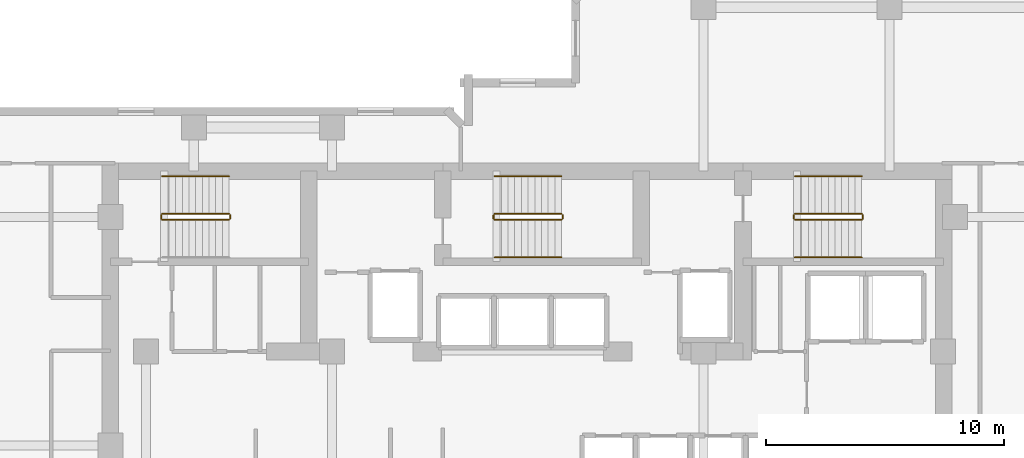
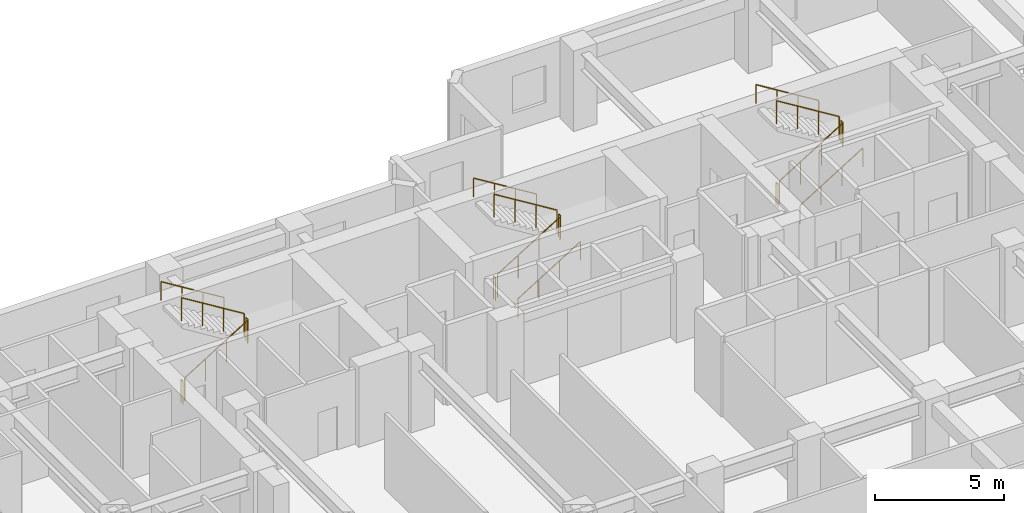
# One storey, part 11 of 11: 17 railings.
"""IFC4 building model written with IfcOpenShell, lengths in metres."""

from ifc_helpers import new_model, si_unit, direction, frame, origin, origin_2d, place, context, subcontext, project, spatial, circle, extrude, material, type_object, element, save


model = new_model("IFC4")

# Units and contexts
model_context = context("Model", 3, precision=1e-05, world=origin(), true_north=direction((0.0, 1.0)))
body_context = subcontext(model_context, "Body", "Model", "MODEL_VIEW")
ifc_project = project(units=[si_unit("LENGTHUNIT", "METRE"), si_unit("AREAUNIT", "SQUARE_METRE"), si_unit("VOLUMEUNIT", "CUBIC_METRE"), si_unit("PLANEANGLEUNIT", "RADIAN"), si_unit("MASSUNIT", "GRAM", prefix="KILO")], contexts=[model_context])

# Site, building, storey
site_placement = place(None, origin())
site = spatial("IfcSite", under=ifc_project, at=site_placement, CompositionType="ELEMENT")
building_placement = place(site_placement, origin())
building = spatial("IfcBuilding", under=site, at=building_placement, Name="Kestravale Grand Hotel", CompositionType="ELEMENT")
storey_placement = place(building_placement, frame((0.0, 0.0, 168.800048828125)))
storey = spatial("IfcBuildingStorey", under=building, at=storey_placement, Name="L42", CompositionType="ELEMENT", Elevation=168.800048828125)

# Railings
ifc_material_1 = material(Name="Painted tubular steel stair well guard", Category="steel")
railing_type_1 = type_object("IfcRailingType", Name="RL-ST-GRD1100", PredefinedType="GUARDRAIL", material=ifc_material_1)
railing_1_placement = place(storey_placement, frame((24.080078125, 38.280029296875, 0.172607421875)))
element("IfcRailing", 1, at=railing_1_placement, inside=storey, type_object=railing_type_1, Name="L42 ST-1 stair guard 1", PredefinedType="GUARDRAIL", context=body_context, shape_type="SweptSolid", body=[
    extrude(circle(Radius=0.02392578125, at=origin_2d()), frame((0.0, 0.0, 1.076171875), z_axis=(0.851069175582, 0.0, 0.525053576669), x_axis=(0.0, 1.0, 0.0)), (0.0, 0.0, 1.0), 3.289794921875),
    extrude(circle(Radius=0.02099609375, at=origin_2d()), origin(), (0.0, 0.0, 1.0), 1.052001953125),
    extrude(circle(Radius=0.02099609375, at=origin_2d()), frame((0.933349609375, 0.0, 0.57568359375)), (0.0, 0.0, 1.0), 1.052001953125),
    extrude(circle(Radius=0.02099609375, at=origin_2d()), frame((1.866455078125, 0.0, 1.151611328125)), (0.0, 0.0, 1.0), 1.052001953125),
    extrude(circle(Radius=0.02099609375, at=origin_2d()), frame((2.7998046875, 0.0, 1.727294921875)), (0.0, 0.0, 1.0), 1.052001953125),
])
railing_2_placement = place(storey_placement, frame((26.929931640625, 38.330078125, 1.89990234375)))
element("IfcRailing", 2, at=railing_2_placement, inside=storey, type_object=railing_type_1, Name="L42 ST-1 stair guard 2", PredefinedType="GUARDRAIL", context=body_context, shape_type="SweptSolid", body=[
    extrude(circle(Radius=0.02392578125, at=origin_2d()), frame((0.0, 0.0, 1.076171875), z_axis=(0.0, 1.0, 0.0), x_axis=(-1.0, 0.0, 0.0)), (0.0, 0.0, 1.0), 0.14990234375),
    extrude(circle(Radius=0.02099609375, at=origin_2d()), origin(), (0.0, 0.0, 1.0), 1.052001953125),
    extrude(circle(Radius=0.02099609375, at=origin_2d()), frame((0.0, 0.14990234375, 0.0)), (0.0, 0.0, 1.0), 1.052001953125),
])
railing_3_placement = place(storey_placement, frame((26.8798828125, 38.530029296875, 2.07275390625)))
element("IfcRailing", 3, at=railing_3_placement, inside=storey, type_object=railing_type_1, Name="L42 ST-1 stair guard 3", PredefinedType="GUARDRAIL", context=body_context, shape_type="SweptSolid", body=[
    extrude(circle(Radius=0.02392578125, at=origin_2d()), frame((0.0, 0.0, 1.076171875), z_axis=(-0.851069175582, 0.0, 0.525053576669), x_axis=(0.0, -1.0, 0.0)), (0.0, 0.0, 1.0), 3.289794921875),
    extrude(circle(Radius=0.02099609375, at=origin_2d()), origin(), (0.0, 0.0, 1.0), 1.052001953125),
    extrude(circle(Radius=0.02099609375, at=origin_2d()), frame((-0.933349609375, 0.0, 0.57568359375)), (0.0, 0.0, 1.0), 1.052001953125),
    extrude(circle(Radius=0.02099609375, at=origin_2d()), frame((-1.866455078125, 0.0, 1.151611328125)), (0.0, 0.0, 1.0), 1.052001953125),
    extrude(circle(Radius=0.02099609375, at=origin_2d()), frame((-2.7998046875, 0.0, 1.727294921875)), (0.0, 0.0, 1.0), 1.052001953125),
])
railing_4_placement = place(storey_placement, frame((24.030029296875, 38.330078125, 0.0)))
element("IfcRailing", 4, at=railing_4_placement, inside=storey, type_object=railing_type_1, Name="L42 ST-1 stair guard 4", PredefinedType="GUARDRAIL", context=body_context, shape_type="SweptSolid", body=[
    extrude(circle(Radius=0.02392578125, at=origin_2d()), frame((0.0, 0.0, 1.076171875), z_axis=(0.0, 1.0, 0.0), x_axis=(-1.0, 0.0, 0.0)), (0.0, 0.0, 1.0), 0.14990234375),
    extrude(circle(Radius=0.02099609375, at=origin_2d()), origin(), (0.0, 0.0, 1.0), 1.052001953125),
    extrude(circle(Radius=0.02099609375, at=origin_2d()), frame((0.0, 0.14990234375, 0.0)), (0.0, 0.0, 1.0), 1.052001953125),
])
railing_5_placement = place(storey_placement, frame((38.030029296875, 38.280029296875, 0.172607421875)))
element("IfcRailing", 5, at=railing_5_placement, inside=storey, type_object=railing_type_1, Name="L42 ST-2 stair guard 1", PredefinedType="GUARDRAIL", context=body_context, shape_type="SweptSolid", body=[
    extrude(circle(Radius=0.02392578125, at=origin_2d()), frame((0.0, 0.0, 1.076171875), z_axis=(0.851089632645, 0.0, 0.525020415988), x_axis=(0.0, 1.0, 0.0)), (0.0, 0.0, 1.0), 3.2900390625),
    extrude(circle(Radius=0.02099609375, at=origin_2d()), origin(), (0.0, 0.0, 1.0), 1.052001953125),
    extrude(circle(Radius=0.02099609375, at=origin_2d()), frame((0.933349609375, 0.0, 0.57568359375)), (0.0, 0.0, 1.0), 1.052001953125),
    extrude(circle(Radius=0.02099609375, at=origin_2d()), frame((1.86669921875, 0.0, 1.151611328125)), (0.0, 0.0, 1.0), 1.052001953125),
    extrude(circle(Radius=0.02099609375, at=origin_2d()), frame((2.800048828125, 0.0, 1.727294921875)), (0.0, 0.0, 1.0), 1.052001953125),
])
railing_6_placement = place(storey_placement, frame((40.8798828125, 38.330078125, 1.89990234375)))
element("IfcRailing", 6, at=railing_6_placement, inside=storey, type_object=railing_type_1, Name="L42 ST-2 stair guard 2", PredefinedType="GUARDRAIL", context=body_context, shape_type="SweptSolid", body=[
    extrude(circle(Radius=0.02392578125, at=origin_2d()), frame((0.0, 0.0, 1.076171875), z_axis=(0.0, 1.0, 0.0), x_axis=(-1.0, 0.0, 0.0)), (0.0, 0.0, 1.0), 0.14990234375),
    extrude(circle(Radius=0.02099609375, at=origin_2d()), origin(), (0.0, 0.0, 1.0), 1.052001953125),
    extrude(circle(Radius=0.02099609375, at=origin_2d()), frame((0.0, 0.14990234375, 0.0)), (0.0, 0.0, 1.0), 1.052001953125),
])
railing_7_placement = place(storey_placement, frame((40.830078125, 38.530029296875, 2.07275390625)))
element("IfcRailing", 7, at=railing_7_placement, inside=storey, type_object=railing_type_1, Name="L42 ST-2 stair guard 3", PredefinedType="GUARDRAIL", context=body_context, shape_type="SweptSolid", body=[
    extrude(circle(Radius=0.02392578125, at=origin_2d()), frame((0.0, 0.0, 1.076171875), z_axis=(-0.851089632645, 0.0, 0.525020415988), x_axis=(0.0, -1.0, 0.0)), (0.0, 0.0, 1.0), 3.2900390625),
    extrude(circle(Radius=0.02099609375, at=origin_2d()), origin(), (0.0, 0.0, 1.0), 1.052001953125),
    extrude(circle(Radius=0.02099609375, at=origin_2d()), frame((-0.933349609375, 0.0, 0.57568359375)), (0.0, 0.0, 1.0), 1.052001953125),
    extrude(circle(Radius=0.02099609375, at=origin_2d()), frame((-1.86669921875, 0.0, 1.151611328125)), (0.0, 0.0, 1.0), 1.052001953125),
    extrude(circle(Radius=0.02099609375, at=origin_2d()), frame((-2.800048828125, 0.0, 1.727294921875)), (0.0, 0.0, 1.0), 1.052001953125),
])
railing_8_placement = place(storey_placement, frame((37.97998046875, 38.330078125, 0.0)))
element("IfcRailing", 8, at=railing_8_placement, inside=storey, type_object=railing_type_1, Name="L42 ST-2 stair guard 4", PredefinedType="GUARDRAIL", context=body_context, shape_type="SweptSolid", body=[
    extrude(circle(Radius=0.02392578125, at=origin_2d()), frame((0.0, 0.0, 1.076171875), z_axis=(0.0, 1.0, 0.0), x_axis=(-1.0, 0.0, 0.0)), (0.0, 0.0, 1.0), 0.14990234375),
    extrude(circle(Radius=0.02099609375, at=origin_2d()), origin(), (0.0, 0.0, 1.0), 1.052001953125),
    extrude(circle(Radius=0.02099609375, at=origin_2d()), frame((0.0, 0.14990234375, 0.0)), (0.0, 0.0, 1.0), 1.052001953125),
])
railing_9_placement = place(storey_placement, frame((50.6298828125, 38.280029296875, 0.172607421875)))
element("IfcRailing", 9, at=railing_9_placement, inside=storey, type_object=railing_type_1, Name="L42 ST-3 stair guard 1", PredefinedType="GUARDRAIL", context=body_context, shape_type="SweptSolid", body=[
    extrude(circle(Radius=0.02392578125, at=origin_2d()), frame((0.0, 0.0, 1.076171875), z_axis=(0.851089632645, 0.0, 0.525020415988), x_axis=(0.0, 1.0, 0.0)), (0.0, 0.0, 1.0), 3.2900390625),
    extrude(circle(Radius=0.02099609375, at=origin_2d()), origin(), (0.0, 0.0, 1.0), 1.052001953125),
    extrude(circle(Radius=0.02099609375, at=origin_2d()), frame((0.933349609375, 0.0, 0.57568359375)), (0.0, 0.0, 1.0), 1.052001953125),
    extrude(circle(Radius=0.02099609375, at=origin_2d()), frame((1.86669921875, 0.0, 1.151611328125)), (0.0, 0.0, 1.0), 1.052001953125),
    extrude(circle(Radius=0.02099609375, at=origin_2d()), frame((2.800048828125, 0.0, 1.727294921875)), (0.0, 0.0, 1.0), 1.052001953125),
])
railing_10_placement = place(storey_placement, frame((53.47998046875, 38.330078125, 1.89990234375)))
element("IfcRailing", 10, at=railing_10_placement, inside=storey, type_object=railing_type_1, Name="L42 ST-3 stair guard 2", PredefinedType="GUARDRAIL", context=body_context, shape_type="SweptSolid", body=[
    extrude(circle(Radius=0.02392578125, at=origin_2d()), frame((0.0, 0.0, 1.076171875), z_axis=(0.0, 1.0, 0.0), x_axis=(-1.0, 0.0, 0.0)), (0.0, 0.0, 1.0), 0.14990234375),
    extrude(circle(Radius=0.02099609375, at=origin_2d()), origin(), (0.0, 0.0, 1.0), 1.052001953125),
    extrude(circle(Radius=0.02099609375, at=origin_2d()), frame((0.0, 0.14990234375, 0.0)), (0.0, 0.0, 1.0), 1.052001953125),
])
railing_11_placement = place(storey_placement, frame((53.429931640625, 38.530029296875, 2.07275390625)))
element("IfcRailing", 11, at=railing_11_placement, inside=storey, type_object=railing_type_1, Name="L42 ST-3 stair guard 3", PredefinedType="GUARDRAIL", context=body_context, shape_type="SweptSolid", body=[
    extrude(circle(Radius=0.02392578125, at=origin_2d()), frame((0.0, 0.0, 1.076171875), z_axis=(-0.851089632645, 0.0, 0.525020415988), x_axis=(0.0, -1.0, 0.0)), (0.0, 0.0, 1.0), 3.2900390625),
    extrude(circle(Radius=0.02099609375, at=origin_2d()), origin(), (0.0, 0.0, 1.0), 1.052001953125),
    extrude(circle(Radius=0.02099609375, at=origin_2d()), frame((-0.933349609375, 0.0, 0.57568359375)), (0.0, 0.0, 1.0), 1.052001953125),
    extrude(circle(Radius=0.02099609375, at=origin_2d()), frame((-1.86669921875, 0.0, 1.151611328125)), (0.0, 0.0, 1.0), 1.052001953125),
    extrude(circle(Radius=0.02099609375, at=origin_2d()), frame((-2.800048828125, 0.0, 1.727294921875)), (0.0, 0.0, 1.0), 1.052001953125),
])
railing_12_placement = place(storey_placement, frame((50.580078125, 38.330078125, 0.0)))
element("IfcRailing", 12, at=railing_12_placement, inside=storey, type_object=railing_type_1, Name="L42 ST-3 stair guard 4", PredefinedType="GUARDRAIL", context=body_context, shape_type="SweptSolid", body=[
    extrude(circle(Radius=0.02392578125, at=origin_2d()), frame((0.0, 0.0, 1.076171875), z_axis=(0.0, 1.0, 0.0), x_axis=(-1.0, 0.0, 0.0)), (0.0, 0.0, 1.0), 0.14990234375),
    extrude(circle(Radius=0.02099609375, at=origin_2d()), origin(), (0.0, 0.0, 1.0), 1.052001953125),
    extrude(circle(Radius=0.02099609375, at=origin_2d()), frame((0.0, 0.14990234375, 0.0)), (0.0, 0.0, 1.0), 1.052001953125),
])
ifc_material_2 = material(Name="Brushed stainless steel wall handrail", Category="steel")
railing_type_2 = type_object("IfcRailingType", Name="RL-ST-HND900", PredefinedType="HANDRAIL", material=ifc_material_2)
railing_13_placement = place(storey_placement, frame((26.8798828125, 40.110107421875, 2.07275390625)))
element("IfcRailing", 13, at=railing_13_placement, inside=storey, type_object=railing_type_2, Name="L42 ST-1 stair handrail 2", PredefinedType="HANDRAIL", context=body_context, shape_type="SweptSolid", body=[
    extrude(circle(Radius=0.02392578125, at=origin_2d()), frame((0.0, 0.0, 0.8759765625), z_axis=(-0.851069175582, 0.0, 0.525053576669), x_axis=(0.0, -1.0, 0.0)), (0.0, 0.0, 1.0), 3.289794921875),
    extrude(circle(Radius=0.02099609375, at=origin_2d()), origin(), (0.0, 0.0, 1.0), 0.851806640625),
    extrude(circle(Radius=0.02099609375, at=origin_2d()), frame((-0.933349609375, 0.0, 0.57568359375)), (0.0, 0.0, 1.0), 0.851806640625),
    extrude(circle(Radius=0.02099609375, at=origin_2d()), frame((-1.866455078125, 0.0, 1.151611328125)), (0.0, 0.0, 1.0), 0.851806640625),
    extrude(circle(Radius=0.02099609375, at=origin_2d()), frame((-2.7998046875, 0.0, 1.727294921875)), (0.0, 0.0, 1.0), 0.851806640625),
])
railing_14_placement = place(storey_placement, frame((38.030029296875, 36.699951171875, 0.172607421875)))
element("IfcRailing", 14, at=railing_14_placement, inside=storey, type_object=railing_type_2, Name="L42 ST-2 stair handrail 1", PredefinedType="HANDRAIL", context=body_context, shape_type="SweptSolid", body=[
    extrude(circle(Radius=0.02392578125, at=origin_2d()), frame((0.0, 0.0, 0.8759765625), z_axis=(0.851089632645, 0.0, 0.525020415988), x_axis=(0.0, 1.0, 0.0)), (0.0, 0.0, 1.0), 3.2900390625),
    extrude(circle(Radius=0.02099609375, at=origin_2d()), origin(), (0.0, 0.0, 1.0), 0.851806640625),
    extrude(circle(Radius=0.02099609375, at=origin_2d()), frame((0.933349609375, 0.0, 0.57568359375)), (0.0, 0.0, 1.0), 0.851806640625),
    extrude(circle(Radius=0.02099609375, at=origin_2d()), frame((1.86669921875, 0.0, 1.151611328125)), (0.0, 0.0, 1.0), 0.851806640625),
    extrude(circle(Radius=0.02099609375, at=origin_2d()), frame((2.800048828125, 0.0, 1.727294921875)), (0.0, 0.0, 1.0), 0.851806640625),
])
railing_15_placement = place(storey_placement, frame((40.830078125, 40.110107421875, 2.07275390625)))
element("IfcRailing", 15, at=railing_15_placement, inside=storey, type_object=railing_type_2, Name="L42 ST-2 stair handrail 2", PredefinedType="HANDRAIL", context=body_context, shape_type="SweptSolid", body=[
    extrude(circle(Radius=0.02392578125, at=origin_2d()), frame((0.0, 0.0, 0.8759765625), z_axis=(-0.851089632645, 0.0, 0.525020415988), x_axis=(0.0, -1.0, 0.0)), (0.0, 0.0, 1.0), 3.2900390625),
    extrude(circle(Radius=0.02099609375, at=origin_2d()), origin(), (0.0, 0.0, 1.0), 0.851806640625),
    extrude(circle(Radius=0.02099609375, at=origin_2d()), frame((-0.933349609375, 0.0, 0.57568359375)), (0.0, 0.0, 1.0), 0.851806640625),
    extrude(circle(Radius=0.02099609375, at=origin_2d()), frame((-1.86669921875, 0.0, 1.151611328125)), (0.0, 0.0, 1.0), 0.851806640625),
    extrude(circle(Radius=0.02099609375, at=origin_2d()), frame((-2.800048828125, 0.0, 1.727294921875)), (0.0, 0.0, 1.0), 0.851806640625),
])
railing_16_placement = place(storey_placement, frame((50.6298828125, 36.699951171875, 0.172607421875)))
element("IfcRailing", 16, at=railing_16_placement, inside=storey, type_object=railing_type_2, Name="L42 ST-3 stair handrail 1", PredefinedType="HANDRAIL", context=body_context, shape_type="SweptSolid", body=[
    extrude(circle(Radius=0.02392578125, at=origin_2d()), frame((0.0, 0.0, 0.8759765625), z_axis=(0.851089632645, 0.0, 0.525020415988), x_axis=(0.0, 1.0, 0.0)), (0.0, 0.0, 1.0), 3.2900390625),
    extrude(circle(Radius=0.02099609375, at=origin_2d()), origin(), (0.0, 0.0, 1.0), 0.851806640625),
    extrude(circle(Radius=0.02099609375, at=origin_2d()), frame((0.933349609375, 0.0, 0.57568359375)), (0.0, 0.0, 1.0), 0.851806640625),
    extrude(circle(Radius=0.02099609375, at=origin_2d()), frame((1.86669921875, 0.0, 1.151611328125)), (0.0, 0.0, 1.0), 0.851806640625),
    extrude(circle(Radius=0.02099609375, at=origin_2d()), frame((2.800048828125, 0.0, 1.727294921875)), (0.0, 0.0, 1.0), 0.851806640625),
])
railing_17_placement = place(storey_placement, frame((53.429931640625, 40.110107421875, 2.07275390625)))
element("IfcRailing", 17, at=railing_17_placement, inside=storey, type_object=railing_type_2, Name="L42 ST-3 stair handrail 2", PredefinedType="HANDRAIL", context=body_context, shape_type="SweptSolid", body=[
    extrude(circle(Radius=0.02392578125, at=origin_2d()), frame((0.0, 0.0, 0.8759765625), z_axis=(-0.851089632645, 0.0, 0.525020415988), x_axis=(0.0, -1.0, 0.0)), (0.0, 0.0, 1.0), 3.2900390625),
    extrude(circle(Radius=0.02099609375, at=origin_2d()), origin(), (0.0, 0.0, 1.0), 0.851806640625),
    extrude(circle(Radius=0.02099609375, at=origin_2d()), frame((-0.933349609375, 0.0, 0.57568359375)), (0.0, 0.0, 1.0), 0.851806640625),
    extrude(circle(Radius=0.02099609375, at=origin_2d()), frame((-1.86669921875, 0.0, 1.151611328125)), (0.0, 0.0, 1.0), 0.851806640625),
    extrude(circle(Radius=0.02099609375, at=origin_2d()), frame((-2.800048828125, 0.0, 1.727294921875)), (0.0, 0.0, 1.0), 0.851806640625),
])

save(model, "model.ifc")
